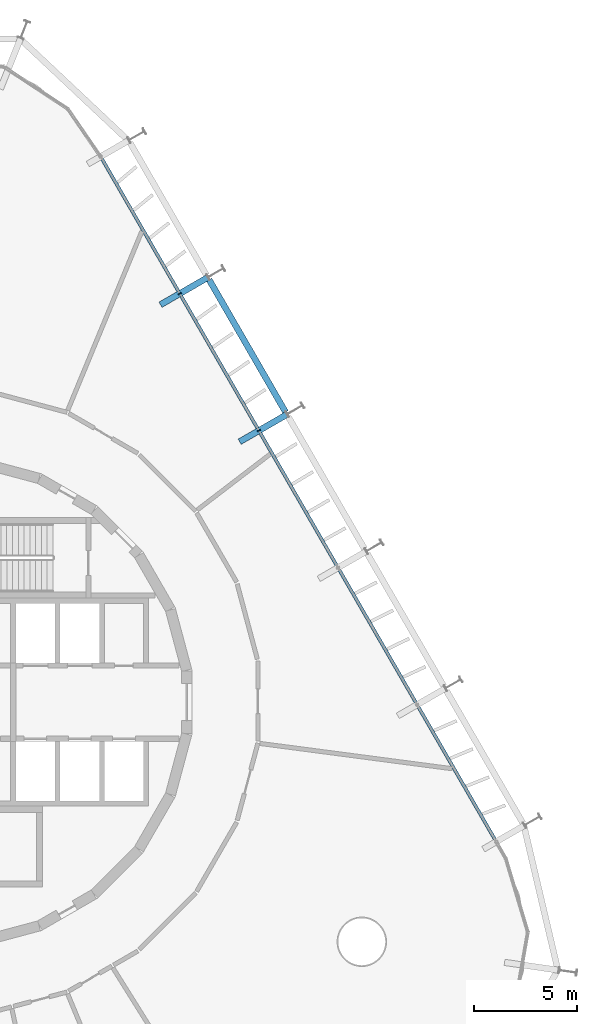
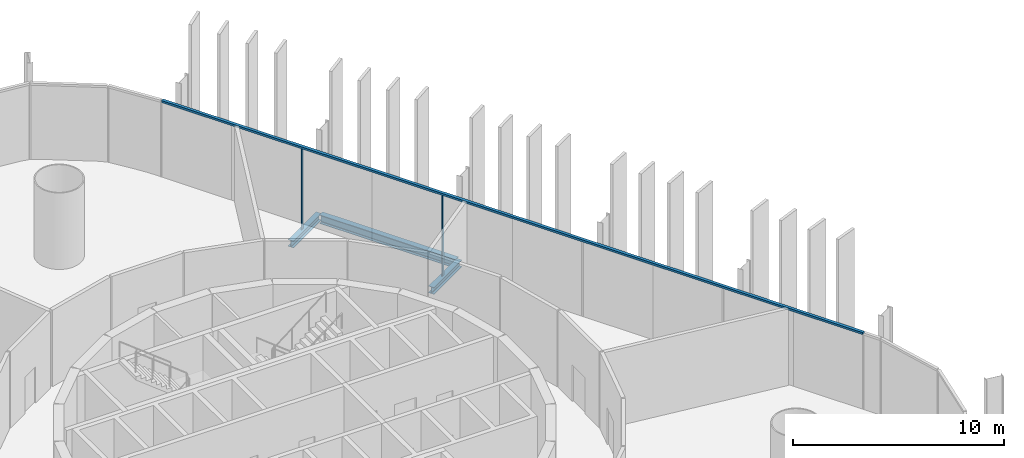
# One storey, part 11 of 18: 3 beams, 3 members, 1 element without a shape of its own.
"""IFC4 building model written with IfcOpenShell, lengths in metres."""

from ifc_helpers import new_model, si_unit, direction, frame, origin, origin_2d, place, context, subcontext, project, spatial, rectangle, i_section, extrude, material, layer, layer_set, material_profile, profile_set, type_object, element, aggregate, save


model = new_model("IFC4")

# Units and contexts
model_context = context("Model", 3, precision=1e-05, world=origin(), true_north=direction((0.0, 1.0)))
body_context = subcontext(model_context, "Body", "Model", "MODEL_VIEW")
ifc_project = project(units=[si_unit("LENGTHUNIT", "METRE"), si_unit("AREAUNIT", "SQUARE_METRE"), si_unit("VOLUMEUNIT", "CUBIC_METRE"), si_unit("PLANEANGLEUNIT", "RADIAN"), si_unit("MASSUNIT", "GRAM", prefix="KILO")], contexts=[model_context])

# Site, building, storey
site_placement = place(None, origin())
site = spatial("IfcSite", under=ifc_project, at=site_placement, CompositionType="ELEMENT")
building_placement = place(site_placement, origin())
building = spatial("IfcBuilding", under=site, at=building_placement, Name="Spindle Arch Residences", CompositionType="ELEMENT")
storey_placement = place(building_placement, frame((0.0, 0.0, 9.0)))
storey = spatial("IfcBuildingStorey", under=building, at=storey_placement, Name="L01", CompositionType="ELEMENT", Elevation=9.0)

# Curtain wall, members
ifc_material_1 = material(Name="Aluminium bronze unitised frame with tinted glass", Category="aluminium")
ifc_layer = layer(ifc_material_1, 0.159912109375)
ifc_layer_set = layer_set([ifc_layer], Name="CW-B amenity podium glazed wall")
curtain_wall_type = type_object("IfcCurtainWallType", Name="CW-B amenity podium glazed wall", PredefinedType="NOTDEFINED", material=ifc_layer_set)
curtain_wall_placement = place(storey_placement, origin())
curtain_wall = element("IfcCurtainWall", 1, at=curtain_wall_placement, inside=storey, type_object=curtain_wall_type, Name="CW-B L01 run 2", PredefinedType="NOTDEFINED")
ifc_material_2 = material(Name="Aluminium bronze anodised mullion", Category="aluminium")
ifc_material_profile_1 = material_profile(ifc_material_2, rectangle(XDim=0.159912109375, YDim=0.06005859375, at=origin_2d()), Name="MU 60x160")
ifc_profile_set_1 = profile_set([ifc_material_profile_1], Name="Aluminium bronze anodised mullion")
member_type_1 = type_object("IfcMemberType", Name="Bronze mullion 60x160", PredefinedType="MULLION", material=ifc_profile_set_1)
member_1_placement = place(storey_placement, frame((15.149169921875, 13.180419921875, -0.3798828125), z_axis=(0.0, 0.0, 1.0), x_axis=(-0.866025403784, -0.5, 0.0)))
member_1 = element("IfcMember", 2, at=member_1_placement, type_object=member_type_1, Name="CW-B mullion 08", PredefinedType="MULLION", context=body_context, shape_type="SweptSolid", body=[
    extrude(rectangle(XDim=0.159912109375, YDim=0.06005859375, at=origin_2d()), origin(), (0.0, 0.0, 1.0), 4.679931640625),
])
member_2_placement = place(storey_placement, frame((11.309326171875, 19.83154296875, -0.3798828125), z_axis=(0.0, 0.0, 1.0), x_axis=(-0.866025403784, -0.5, 0.0)))
member_2 = element("IfcMember", 3, at=member_2_placement, type_object=member_type_1, Name="CW-B mullion 09", PredefinedType="MULLION", context=body_context, shape_type="SweptSolid", body=[
    extrude(rectangle(XDim=0.159912109375, YDim=0.06005859375, at=origin_2d()), origin(), (0.0, 0.0, 1.0), 4.679931640625),
])
ifc_material_3 = material(Name="Aluminium bronze anodised transom", Category="aluminium")
ifc_material_profile_2 = material_profile(ifc_material_3, rectangle(XDim=0.159912109375, YDim=0.1201171875, at=origin_2d()), Name="TR 120x160")
ifc_profile_set_2 = profile_set([ifc_material_profile_2], Name="Aluminium bronze anodised transom")
member_type_2 = type_object("IfcMemberType", Name="Bronze transom 120x160", PredefinedType="USERDEFINED", material=ifc_profile_set_2)
member_3_placement = place(storey_placement, frame((26.654296875, -6.746826171875, 4.360107421875), z_axis=(-0.50000099666, 0.866024828362, 0.0), x_axis=(-0.866024828362, -0.50000099666, 0.0)))
member_3 = element("IfcMember", 4, at=member_3_placement, type_object=member_type_2, Name="CW-B transom 00", ObjectType="TRANSOM", PredefinedType="USERDEFINED", context=body_context, shape_type="SweptSolid", body=[
    extrude(rectangle(XDim=0.159912109375, YDim=0.1201171875, at=origin_2d()), origin(), (0.0, 0.0, 1.0), 38.34033203125),
])
aggregate(curtain_wall, [member_3, member_1, member_2])

# Beams
ifc_material_4 = material(Name="Steel S460ML, intumescent coating R 120", Category="steel")
ifc_material_profile_3 = material_profile(ifc_material_4, i_section(OverallWidth=0.300048828125, OverallDepth=0.5, WebThickness=0.014404296875, FlangeThickness=0.028076171875, FilletRadius=0.027099609375, at=origin_2d()), Name="HEB 500")
ifc_profile_set_3 = profile_set([ifc_material_profile_3], Name="Steel S460ML, intumescent coating R 120")
beam_type_1 = type_object("IfcBeamType", Name="Exoskeleton edge beam HEB 500", PredefinedType="BEAM", material=ifc_profile_set_3)
beam_placement = place(storey_placement, frame((16.44384765625, 14.078125, -0.6298828125), z_axis=(-0.49998923004, 0.866031621735, 0.0), x_axis=(-0.866031621735, -0.49998923004, 0.0)))
element("IfcBeam", 5, at=beam_placement, inside=storey, type_object=beam_type_1, Name="Exoskeleton edge beam 9", PredefinedType="BEAM", context=body_context, shape_type="SweptSolid", body=[
    extrude(i_section(OverallWidth=0.300048828125, OverallDepth=0.5, WebThickness=0.014404296875, FlangeThickness=0.028076171875, FilletRadius=0.027099609375, at=origin_2d()), origin(), (0.0, 0.0, 1.0), 7.420166015625),
])
ifc_material_5 = material(Name="Steel S460ML, intumescent coating R 120", Category="steel")
ifc_material_profile_4 = material_profile(ifc_material_5, i_section(OverallWidth=0.300048828125, OverallDepth=0.389892578125, WebThickness=0.010986328125, FlangeThickness=0.01904296875, FilletRadius=0.027099609375, at=origin_2d()), Name="HEA 400")
ifc_profile_set_4 = profile_set([ifc_material_profile_4], Name="Steel S460ML, intumescent coating R 120")
beam_type_2 = type_object("IfcBeamType", Name="Floor outrigger HEA 400", PredefinedType="BEAM", material=ifc_profile_set_4)
for number, where, z_axis, x_axis, name in (
    (6, (16.5087890625, 13.965576171875, -0.574951171875), (-0.865989200783, -0.500062700197, 0.0), (0.500062700197, -0.865989200783, 0.0), "Floor outrigger 9"),
    (7, (12.6689453125, 20.61669921875, -0.574951171875), (-0.866052124492, -0.499953715521, 0.0), (0.499953715521, -0.866052124492, 0.0), "Floor outrigger 10"),
):
    element("IfcBeam", number, at=place(storey_placement, frame(where, z_axis=z_axis, x_axis=x_axis)), inside=storey, type_object=beam_type_2, Name=name, PredefinedType="BEAM", context=body_context, shape_type="SweptSolid", body=[
        extrude(i_section(OverallWidth=0.300048828125, OverallDepth=0.389892578125, WebThickness=0.010986328125, FlangeThickness=0.01904296875, FilletRadius=0.027099609375, at=origin_2d()), origin(), (0.0, 0.0, 1.0), 2.650146484375),
    ])

save(model, "model.ifc")
